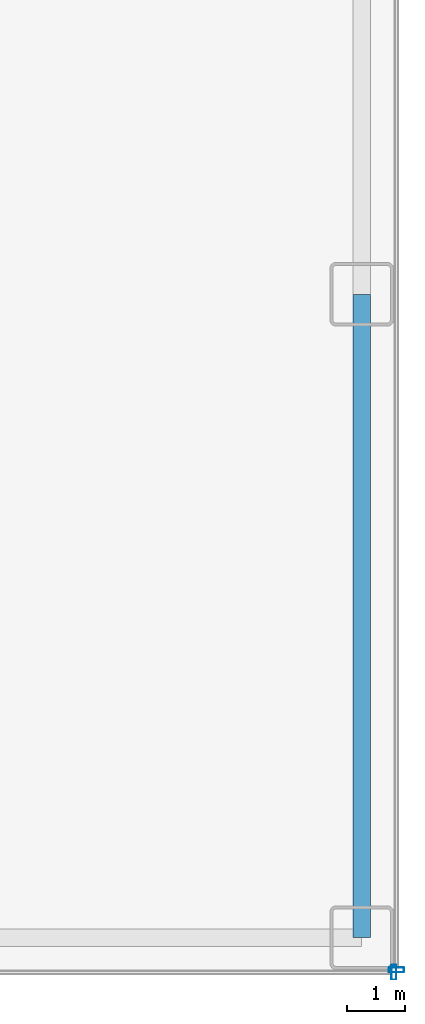
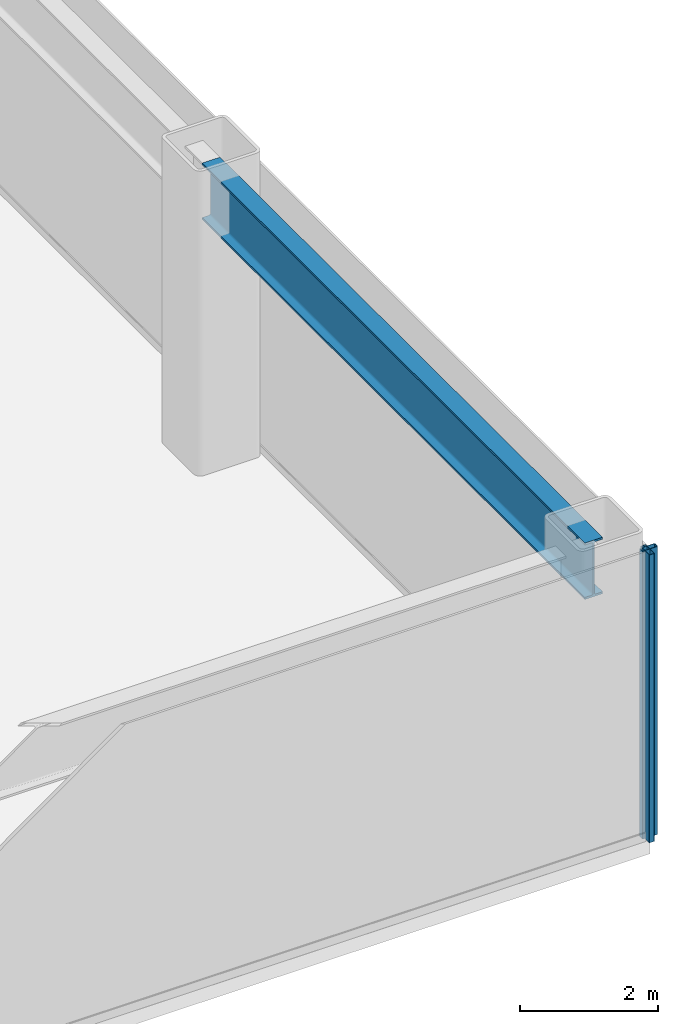
# One storey, part 12 of 24: 2 members, 1 beam, 2 elements without a shape of their own.
"""IFC4 building model written with IfcOpenShell, lengths in metres."""

from ifc_helpers import new_model, si_unit, direction, frame, origin, origin_2d, place, context, subcontext, project, spatial, hollow_rectangle, i_section, extrude, source, transform, mapped, material, layer, layer_set, material_profile, profile_set, type_object, element, aggregate, save


model = new_model("IFC4")

# Units and contexts
model_context = context("Model", 3, precision=1e-05, world=origin(), true_north=direction((0.0, 1.0)))
body_context = subcontext(model_context, "Body", "Model", "MODEL_VIEW")
ifc_project = project(units=[si_unit("LENGTHUNIT", "METRE"), si_unit("AREAUNIT", "SQUARE_METRE"), si_unit("VOLUMEUNIT", "CUBIC_METRE"), si_unit("PLANEANGLEUNIT", "RADIAN"), si_unit("MASSUNIT", "GRAM", prefix="KILO")], contexts=[model_context])

# Site, building, storey
site_placement = place(None, origin())
site = spatial("IfcSite", under=ifc_project, at=site_placement, CompositionType="ELEMENT")
building_placement = place(site_placement, origin())
building = spatial("IfcBuilding", under=site, at=building_placement, Name="Nefas-Gora Pilgrimage Tower", CompositionType="ELEMENT")
storey_placement = place(building_placement, frame((0.0, 0.0, 16.800048828125)))
storey = spatial("IfcBuildingStorey", under=building, at=storey_placement, Name="L03", CompositionType="ELEMENT", Elevation=16.800048828125)

# Beam
ifc_material_1 = material(Name="Steel S460", Category="steel")
ifc_material_profile_1 = material_profile(ifc_material_1, i_section(OverallWidth=0.300048828125, OverallDepth=1.0, WebThickness=0.01904296875, FlangeThickness=0.035888671875, FilletRadius=0.030029296875, at=origin_2d()), Name="HEB 1000")
ifc_profile_set_1 = profile_set([ifc_material_profile_1], Name="Steel S460")
beam_type = type_object("IfcBeamType", Name="BM-POD-HEB1000E", PredefinedType="BEAM", material=ifc_profile_set_1)
shared_shape_1 = source(origin(), body_context, "Body", "SweptSolid", [
    extrude(i_section(OverallWidth=0.300048828125, OverallDepth=1.0, WebThickness=0.01904296875, FlangeThickness=0.035888671875, FilletRadius=0.030029296875, at=origin_2d()), origin(), (0.0, 0.0, 1.0), 11.10009765625),
])
beam_placement = place(storey_placement, frame((37.64990234375, -24.60009765625, 4.599853515625), z_axis=(0.0, 1.0, 0.0), x_axis=(-1.0, 0.0, 0.0)))
element("IfcBeam", 1, at=beam_placement, inside=storey, type_object=beam_type, Name="L03 PG-01E beam", PredefinedType="BEAM", context=body_context, shape_type="MappedRepresentation", body=[
    mapped(shared_shape_1, transform((0.0, 0.0, 0.0), x_axis=(1.0, 0.0, 0.0), y_axis=(0.0, 1.0, 0.0), z_axis=(0.0, 0.0, 1.0), scale=1.0)),
])

# Curtain wall, member
ifc_material_2 = material(Name="Dark ceramic-fritted solar-control aluminium-glass curtain wall", Category="aluminium")
ifc_layer = layer(ifc_material_2, 0.219970703125)
ifc_layer_set = layer_set([ifc_layer], Name="Dark ceramic-fritted solar-control aluminium-glass curtain wall")
curtain_wall_type = type_object("IfcCurtainWallType", Name="CW-SYS-1", PredefinedType="NOTDEFINED", material=ifc_layer_set)
curtain_wall_1_placement = place(storey_placement, origin())
curtain_wall_1 = element("IfcCurtainWall", 2, at=curtain_wall_1_placement, inside=storey, type_object=curtain_wall_type, Name="L03 Unitised Curtain Wall CW1", PredefinedType="NOTDEFINED")
ifc_material_3 = material(Name="Anodised architectural aluminium", Category="aluminium")
ifc_material_profile_2 = material_profile(ifc_material_3, hollow_rectangle(XDim=0.090087890625, YDim=0.260009765625, WallThickness=0.006103515625, InnerFilletRadius=0.006103515625, OuterFilletRadius=0.011962890625, at=origin_2d()), Name="ALU MULLION 90x260")
ifc_profile_set_2 = profile_set([ifc_material_profile_2], Name="Anodised architectural aluminium")
member_type = type_object("IfcMemberType", Name="CWM-MUL-1", PredefinedType="MULLION", material=ifc_profile_set_2)
shared_shape_2 = source(origin(), body_context, "Body", "SweptSolid", [
    extrude(hollow_rectangle(XDim=0.090087890625, YDim=0.260009765625, WallThickness=0.006103515625, InnerFilletRadius=0.006103515625, OuterFilletRadius=0.011962890625, at=origin_2d()), origin(), (0.0, 0.0, 1.0), 5.099853515625),
])
member_1_placement = place(storey_placement, frame((38.25, -25.155029296875, 0.0), z_axis=(0.0, 0.0, 1.0), x_axis=(0.0, 1.0, 0.0)))
member_1 = element("IfcMember", 3, at=member_1_placement, type_object=member_type, Name="CW1 Mullion 1", PredefinedType="MULLION", context=body_context, shape_type="MappedRepresentation", body=[
    mapped(shared_shape_2, transform((0.0, 0.0, 0.0), x_axis=(1.0, 0.0, 0.0), y_axis=(0.0, 1.0, 0.0), z_axis=(0.0, 0.0, 1.0), scale=1.0)),
])
aggregate(curtain_wall_1, [member_1])

curtain_wall_2_placement = place(storey_placement, origin())
curtain_wall_2 = element("IfcCurtainWall", 4, at=curtain_wall_2_placement, inside=storey, type_object=curtain_wall_type, Name="L03 Unitised Curtain Wall CW1", PredefinedType="NOTDEFINED")
member_2_placement = place(storey_placement, frame((38.205078125, -25.199951171875, 0.0), z_axis=(0.0, 0.0, 1.0), x_axis=(1.0, 0.0, 0.0)))
member_2 = element("IfcMember", 5, at=member_2_placement, type_object=member_type, Name="CW1 Mullion 3", PredefinedType="MULLION", context=body_context, shape_type="MappedRepresentation", body=[
    mapped(shared_shape_2, transform((0.0, 0.0, 0.0), x_axis=(1.0, 0.0, 0.0), y_axis=(0.0, 1.0, 0.0), z_axis=(0.0, 0.0, 1.0), scale=1.0)),
])
aggregate(curtain_wall_2, [member_2])

save(model, "model.ifc")
